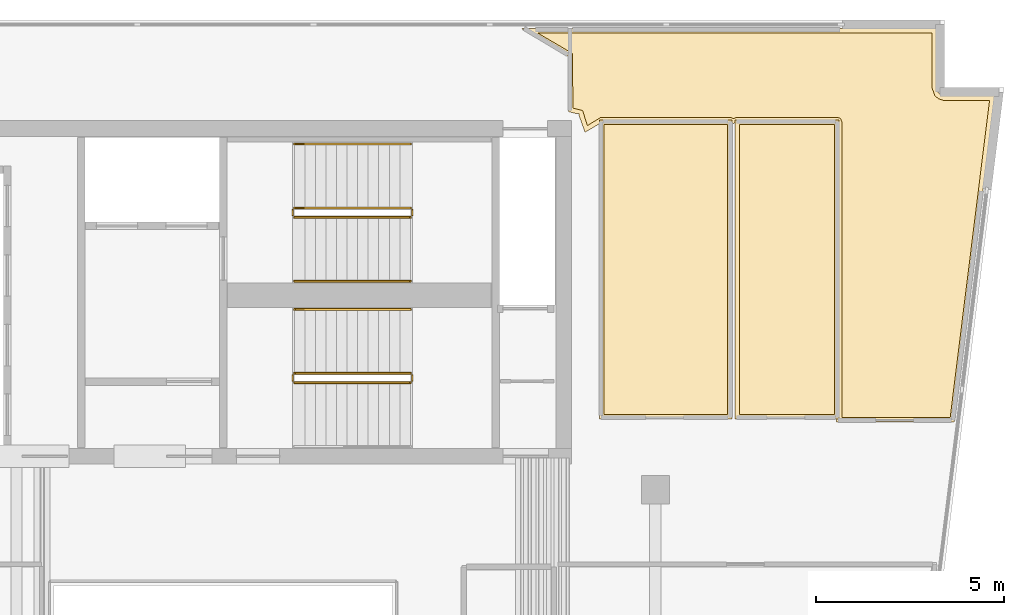
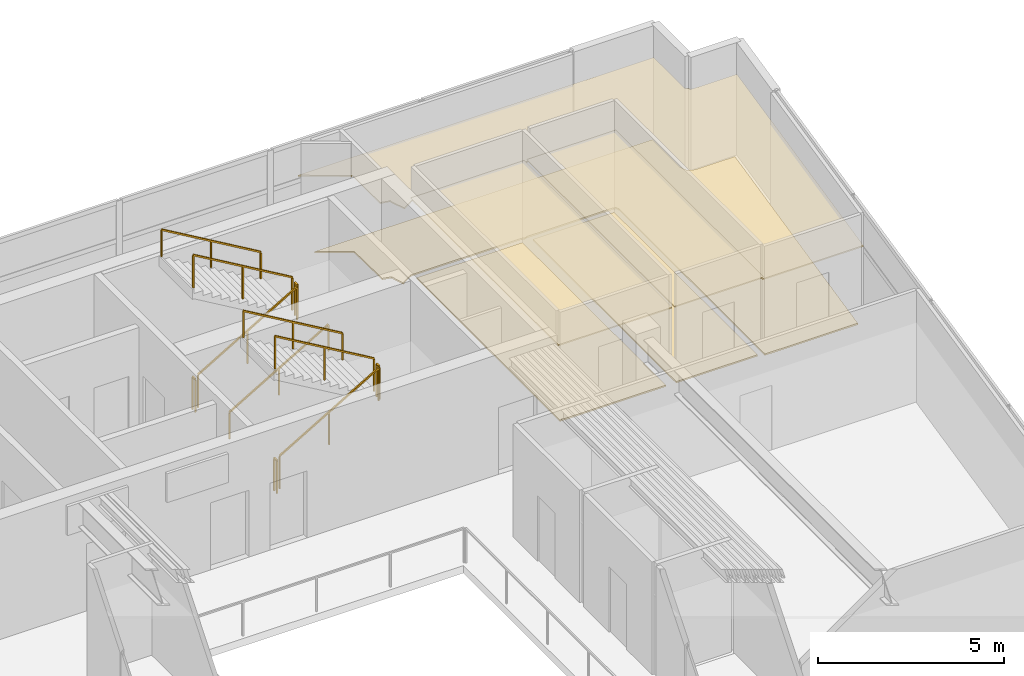
# One storey, part 8 of 8: 11 railings, 6 coverings.
"""IFC4 building model written with IfcOpenShell, lengths in metres."""

from ifc_helpers import new_model, si_unit, direction, frame, origin, origin_2d, place, context, subcontext, project, spatial, polyline, rectangle, outline, extrude, material, layer, layer_set, type_object, element, save


model = new_model("IFC4")

# Units and contexts
model_context = context("Model", 3, precision=1e-05, world=origin(), true_north=direction((0.0, 1.0)))
body_context = subcontext(model_context, "Body", "Model", "MODEL_VIEW")
ifc_project = project(units=[si_unit("LENGTHUNIT", "METRE"), si_unit("AREAUNIT", "SQUARE_METRE"), si_unit("VOLUMEUNIT", "CUBIC_METRE"), si_unit("PLANEANGLEUNIT", "RADIAN"), si_unit("MASSUNIT", "GRAM", prefix="KILO")], contexts=[model_context])

# Site, building, storey
site_placement = place(None, origin())
site = spatial("IfcSite", under=ifc_project, at=site_placement, CompositionType="ELEMENT")
building_placement = place(site_placement, origin())
building = spatial("IfcBuilding", under=site, at=building_placement, Name="Caeloran Harvest Quay", CompositionType="ELEMENT")
storey_placement = place(building_placement, frame((0.0, 0.0, 260.64990234375)))
storey = spatial("IfcBuildingStorey", under=building, at=storey_placement, Name="L62", CompositionType="ELEMENT", Elevation=260.64990234375)

# Coverings
ifc_material_1 = material(Name="Perforated Mineral-Fibre Acoustic Ceiling Tile", Category="ceiling")
ifc_layer_1 = layer(ifc_material_1, 0.0400390625, Name="Perforated Mineral-Fibre Acoustic Ceiling Tile")
ifc_layer_set_1 = layer_set([ifc_layer_1], Name="Perforated Mineral-Fibre Acoustic Ceiling Tile")
covering_type_1 = type_object("IfcCoveringType", Name="COV-CEILING-ACOUSTIC", PredefinedType="CEILING", material=ifc_layer_set_1)
covering_1_placement = place(storey_placement, frame((0.0, 0.0, 2.60009765625)))
element("IfcCovering", 1, at=covering_1_placement, inside=storey, type_object=covering_type_1, Name="L62 Bioinformatics Briefing Lounge Acoustic Ceiling", PredefinedType="CEILING", context=body_context, shape_type="SweptSolid", body=[
    extrude(outline(polyline([(27.5400390625, 40.840087890625), (27.5400390625, 32.8798828125), (24.010009765625, 32.8798828125), (24.010009765625, 40.840087890625), (27.5400390625, 40.840087890625)])), origin(), (0.0, 0.0, 1.0), 0.0400390625),
])
covering_2_placement = place(storey_placement, frame((0.0, 0.0, 2.60009765625)))
element("IfcCovering", 2, at=covering_2_placement, inside=storey, type_object=covering_type_1, Name="L62 Seed Imaging Laboratory Acoustic Ceiling", PredefinedType="CEILING", context=body_context, shape_type="SweptSolid", body=[
    extrude(outline(polyline([(30.389892578125, 40.840087890625), (30.389892578125, 32.8798828125), (27.6201171875, 32.8798828125), (27.6201171875, 40.840087890625), (30.389892578125, 40.840087890625)])), origin(), (0.0, 0.0, 1.0), 0.0400390625),
])
covering_3_placement = place(storey_placement, frame((0.0, 0.0, 2.60009765625)))
element("IfcCovering", 3, at=covering_3_placement, inside=storey, type_object=covering_type_1, Name="Private Dining Kitchen Acoustic Ceiling", PredefinedType="CEILING", context=body_context, shape_type="SweptSolid", body=[
    extrude(outline(polyline([(23.18994140625, 42.5400390625), (23.158203125, 42.5400390625), (21.923583984375, 43.280029296875), (32.97998046875, 43.280029296875), (32.97998046875, 41.700927734375), (32.989501953125, 41.63623046875), (33.030029296875, 41.560546875), (33.09619140625, 41.506103515625), (33.178466796875, 41.481201171875), (34.527587890625, 41.47998046875), (33.451416015625, 32.81005859375), (30.320068359375, 32.81005859375), (30.320068359375, 32.919921875), (30.340087890625, 32.927001953125), (30.340087890625, 40.7900390625), (27.669677734375, 40.7900390625), (27.668701171875, 40.771240234375), (27.580078125, 40.7490234375), (27.494140625, 40.7705078125), (27.4912109375, 40.7900390625), (24.06005859375, 40.7900390625), (24.06005859375, 40.77099609375), (23.62939453125, 40.512939453125), (23.469970703125, 40.958740234375), (23.469970703125, 41.010009765625), (23.396240234375, 41.010009765625), (23.18994140625, 41.061767578125), (23.18994140625, 42.5400390625)])), origin(), (0.0, 0.0, 1.0), 0.0400390625),
])
ifc_material_2 = material(Name="Calcium-Sulphate Raised Access Floor and Terrazzo Finish", Category="flooring")
ifc_layer_2 = layer(ifc_material_2, 0.050048828125, Name="Calcium-Sulphate Raised Access Floor and Terrazzo Finish")
ifc_layer_set_2 = layer_set([ifc_layer_2], Name="Calcium-Sulphate Raised Access Floor and Terrazzo Finish")
covering_type_2 = type_object("IfcCoveringType", Name="COV-FLOOR-RAISED", PredefinedType="FLOORING", material=ifc_layer_set_2)
covering_4_placement = place(storey_placement, origin())
element("IfcCovering", 4, at=covering_4_placement, inside=storey, type_object=covering_type_2, Name="L62 Bioinformatics Briefing Lounge Raised Finish Flooring", PredefinedType="FLOORING", context=body_context, shape_type="SweptSolid", body=[
    extrude(outline(polyline([(27.419921875, 40.719970703125), (27.419921875, 33.0), (24.1298828125, 33.0), (24.1298828125, 40.719970703125), (27.419921875, 40.719970703125)])), origin(), (0.0, 0.0, 1.0), 0.050048828125),
])
covering_5_placement = place(storey_placement, origin())
element("IfcCovering", 5, at=covering_5_placement, inside=storey, type_object=covering_type_2, Name="L62 Seed Imaging Laboratory Raised Finish Flooring", PredefinedType="FLOORING", context=body_context, shape_type="SweptSolid", body=[
    extrude(outline(polyline([(30.27001953125, 40.719970703125), (30.27001953125, 33.0), (27.739990234375, 33.0), (27.739990234375, 40.719970703125), (30.27001953125, 40.719970703125)])), origin(), (0.0, 0.0, 1.0), 0.050048828125),
])
covering_6_placement = place(storey_placement, origin())
element("IfcCovering", 6, at=covering_6_placement, inside=storey, type_object=covering_type_2, Name="Private Dining Kitchen Raised Finish Flooring", PredefinedType="FLOORING", context=body_context, shape_type="SweptSolid", body=[
    extrude(outline(polyline([(24.050048828125, 40.909912109375), (23.693115234375, 40.691162109375), (23.5625, 41.0927734375), (23.31005859375, 41.1552734375), (23.289306640625, 42.6142578125), (22.357421875, 43.159912109375), (32.860107421875, 43.159912109375), (32.860107421875, 41.696044921875), (32.939697265625, 41.481201171875), (33.043212890625, 41.3984375), (33.170654296875, 41.361328125), (34.391845703125, 41.360107421875), (33.34521484375, 32.929931640625), (30.4599609375, 32.929931640625), (30.4599609375, 40.800048828125), (30.4228515625, 40.882568359375), (30.35009765625, 40.909912109375), (27.659912109375, 40.909912109375), (27.580078125, 40.87548828125), (27.5, 40.909912109375), (24.050048828125, 40.909912109375)])), origin(), (0.0, 0.0, 1.0), 0.050048828125),
])

# Railings
ifc_material_3 = material(Name="Painted Steel Baluster and Top-Rail Stair Guard", Category="steel")
ifc_layer_3 = layer(ifc_material_3, 0.050048828125, Name="Painted Steel Baluster and Top-Rail Stair Guard")
ifc_layer_set_3 = layer_set([ifc_layer_3], Name="Painted Steel Baluster and Top-Rail Stair Guard")
railing_type_1 = type_object("IfcRailingType", Name="STAIR-GUARD-1100", PredefinedType="GUARDRAIL", material=ifc_layer_set_3)
railing_1_placement = place(storey_placement, frame((15.89990234375, 38.25, 0.164794921875)))
element("IfcRailing", 7, at=railing_1_placement, inside=storey, type_object=railing_type_1, Name="L62 ST-C1 stair guard 1", PredefinedType="GUARDRAIL", context=body_context, shape_type="SweptSolid", body=[
    extrude(rectangle(XDim=0.048095703125, YDim=0.048095703125, at=origin_2d()), frame((0.0, 0.0, 1.076171875), z_axis=(0.862118610829, 0.0, 0.506706523406), x_axis=(0.0, 1.0, 0.0)), (0.0, 0.0, 1.0), 3.57275390625),
    extrude(rectangle(XDim=0.0419921875, YDim=0.0419921875, at=origin_2d()), origin(), (0.0, 0.0, 1.0), 1.052001953125),
    extrude(rectangle(XDim=0.0419921875, YDim=0.0419921875, at=origin_2d()), frame((1.5400390625, 0.0, 0.9052734375)), (0.0, 0.0, 1.0), 1.052001953125),
    extrude(rectangle(XDim=0.0419921875, YDim=0.0419921875, at=origin_2d()), frame((3.080078125, 0.0, 1.810302734375)), (0.0, 0.0, 1.0), 1.052001953125),
])
railing_2_placement = place(storey_placement, frame((19.030029296875, 38.300048828125, 1.97509765625)))
element("IfcRailing", 8, at=railing_2_placement, inside=storey, type_object=railing_type_1, Name="L62 ST-C1 stair guard 2", PredefinedType="GUARDRAIL", context=body_context, shape_type="SweptSolid", body=[
    extrude(rectangle(XDim=0.048095703125, YDim=0.048095703125, at=origin_2d()), frame((0.0, 0.0, 1.076171875), z_axis=(0.0, 1.0, 0.0), x_axis=(-1.0, 0.0, 0.0)), (0.0, 0.0, 1.0), 0.14990234375),
    extrude(rectangle(XDim=0.0419921875, YDim=0.0419921875, at=origin_2d()), origin(), (0.0, 0.0, 1.0), 1.052001953125),
    extrude(rectangle(XDim=0.0419921875, YDim=0.0419921875, at=origin_2d()), frame((0.0, 0.14990234375, 0.0)), (0.0, 0.0, 1.0), 1.052001953125),
])
railing_3_placement = place(storey_placement, frame((18.97998046875, 38.5, 2.1396484375)))
element("IfcRailing", 9, at=railing_3_placement, inside=storey, type_object=railing_type_1, Name="L62 ST-C1 stair guard 3", PredefinedType="GUARDRAIL", context=body_context, shape_type="SweptSolid", body=[
    extrude(rectangle(XDim=0.048095703125, YDim=0.048095703125, at=origin_2d()), frame((0.0, 0.0, 1.076171875), z_axis=(-0.862088758681, 0.0, 0.506757310905), x_axis=(0.0, -1.0, 0.0)), (0.0, 0.0, 1.0), 3.57275390625),
    extrude(rectangle(XDim=0.0419921875, YDim=0.0419921875, at=origin_2d()), origin(), (0.0, 0.0, 1.0), 1.052001953125),
    extrude(rectangle(XDim=0.0419921875, YDim=0.0419921875, at=origin_2d()), frame((-1.5400390625, 0.0, 0.9052734375)), (0.0, 0.0, 1.0), 1.052001953125),
    extrude(rectangle(XDim=0.0419921875, YDim=0.0419921875, at=origin_2d()), frame((-3.080078125, 0.0, 1.810546875)), (0.0, 0.0, 1.0), 1.052001953125),
])
railing_4_placement = place(storey_placement, frame((15.85009765625, 38.300048828125, 0.0)))
element("IfcRailing", 10, at=railing_4_placement, inside=storey, type_object=railing_type_1, Name="L62 ST-C1 stair guard 4", PredefinedType="GUARDRAIL", context=body_context, shape_type="SweptSolid", body=[
    extrude(rectangle(XDim=0.048095703125, YDim=0.048095703125, at=origin_2d()), frame((0.0, 0.0, 1.076171875), z_axis=(0.0, 1.0, 0.0), x_axis=(-1.0, 0.0, 0.0)), (0.0, 0.0, 1.0), 0.14990234375),
    extrude(rectangle(XDim=0.0419921875, YDim=0.0419921875, at=origin_2d()), origin(), (0.0, 0.0, 1.0), 1.052001953125),
    extrude(rectangle(XDim=0.0419921875, YDim=0.0419921875, at=origin_2d()), frame((0.0, 0.14990234375, 0.0)), (0.0, 0.0, 1.0), 1.052001953125),
])
railing_5_placement = place(storey_placement, frame((15.89990234375, 33.85009765625, 0.164794921875)))
element("IfcRailing", 11, at=railing_5_placement, inside=storey, type_object=railing_type_1, Name="L62 ST-C2 stair guard 1", PredefinedType="GUARDRAIL", context=body_context, shape_type="SweptSolid", body=[
    extrude(rectangle(XDim=0.048095703125, YDim=0.048095703125, at=origin_2d()), frame((0.0, 0.0, 1.076171875), z_axis=(0.862118610829, 0.0, 0.506706523406), x_axis=(0.0, 1.0, 0.0)), (0.0, 0.0, 1.0), 3.57275390625),
    extrude(rectangle(XDim=0.0419921875, YDim=0.0419921875, at=origin_2d()), origin(), (0.0, 0.0, 1.0), 1.052001953125),
    extrude(rectangle(XDim=0.0419921875, YDim=0.0419921875, at=origin_2d()), frame((1.5400390625, 0.0, 0.9052734375)), (0.0, 0.0, 1.0), 1.052001953125),
    extrude(rectangle(XDim=0.0419921875, YDim=0.0419921875, at=origin_2d()), frame((3.080078125, 0.0, 1.810302734375)), (0.0, 0.0, 1.0), 1.052001953125),
])
railing_6_placement = place(storey_placement, frame((19.030029296875, 33.89990234375, 1.97509765625)))
element("IfcRailing", 12, at=railing_6_placement, inside=storey, type_object=railing_type_1, Name="L62 ST-C2 stair guard 2", PredefinedType="GUARDRAIL", context=body_context, shape_type="SweptSolid", body=[
    extrude(rectangle(XDim=0.048095703125, YDim=0.048095703125, at=origin_2d()), frame((0.0, 0.0, 1.076171875), z_axis=(0.0, 1.0, 0.0), x_axis=(-1.0, 0.0, 0.0)), (0.0, 0.0, 1.0), 0.150146484375),
    extrude(rectangle(XDim=0.0419921875, YDim=0.0419921875, at=origin_2d()), origin(), (0.0, 0.0, 1.0), 1.052001953125),
    extrude(rectangle(XDim=0.0419921875, YDim=0.0419921875, at=origin_2d()), frame((0.0, 0.150146484375, 0.0)), (0.0, 0.0, 1.0), 1.052001953125),
])
railing_7_placement = place(storey_placement, frame((18.97998046875, 34.10009765625, 2.1396484375)))
element("IfcRailing", 13, at=railing_7_placement, inside=storey, type_object=railing_type_1, Name="L62 ST-C2 stair guard 3", PredefinedType="GUARDRAIL", context=body_context, shape_type="SweptSolid", body=[
    extrude(rectangle(XDim=0.048095703125, YDim=0.048095703125, at=origin_2d()), frame((0.0, 0.0, 1.076171875), z_axis=(-0.862088758681, 0.0, 0.506757310905), x_axis=(0.0, -1.0, 0.0)), (0.0, 0.0, 1.0), 3.57275390625),
    extrude(rectangle(XDim=0.0419921875, YDim=0.0419921875, at=origin_2d()), origin(), (0.0, 0.0, 1.0), 1.052001953125),
    extrude(rectangle(XDim=0.0419921875, YDim=0.0419921875, at=origin_2d()), frame((-1.5400390625, 0.0, 0.9052734375)), (0.0, 0.0, 1.0), 1.052001953125),
    extrude(rectangle(XDim=0.0419921875, YDim=0.0419921875, at=origin_2d()), frame((-3.080078125, 0.0, 1.810546875)), (0.0, 0.0, 1.0), 1.052001953125),
])
railing_8_placement = place(storey_placement, frame((15.85009765625, 33.89990234375, 0.0)))
element("IfcRailing", 14, at=railing_8_placement, inside=storey, type_object=railing_type_1, Name="L62 ST-C2 stair guard 4", PredefinedType="GUARDRAIL", context=body_context, shape_type="SweptSolid", body=[
    extrude(rectangle(XDim=0.048095703125, YDim=0.048095703125, at=origin_2d()), frame((0.0, 0.0, 1.076171875), z_axis=(0.0, 1.0, 0.0), x_axis=(-1.0, 0.0, 0.0)), (0.0, 0.0, 1.0), 0.150146484375),
    extrude(rectangle(XDim=0.0419921875, YDim=0.0419921875, at=origin_2d()), origin(), (0.0, 0.0, 1.0), 1.052001953125),
    extrude(rectangle(XDim=0.0419921875, YDim=0.0419921875, at=origin_2d()), frame((0.0, 0.150146484375, 0.0)), (0.0, 0.0, 1.0), 1.052001953125),
])
ifc_material_4 = material(Name="Brushed Stainless Steel Grade 304", Category="steel")
ifc_layer_4 = layer(ifc_material_4, 0.050048828125, Name="Brushed Stainless Steel Grade 304")
ifc_layer_set_4 = layer_set([ifc_layer_4], Name="Brushed Stainless Steel Grade 304")
railing_type_2 = type_object("IfcRailingType", Name="STAIR-HANDRAIL-900", PredefinedType="HANDRAIL", material=ifc_layer_set_4)
railing_9_placement = place(storey_placement, frame((15.89990234375, 36.550048828125, 0.164794921875)))
element("IfcRailing", 15, at=railing_9_placement, inside=storey, type_object=railing_type_2, Name="L62 ST-C1 stair handrail 1", PredefinedType="HANDRAIL", context=body_context, shape_type="SweptSolid", body=[
    extrude(rectangle(XDim=0.048095703125, YDim=0.048095703125, at=origin_2d()), frame((0.0, 0.0, 0.8759765625), z_axis=(0.862118610829, 0.0, 0.506706523406), x_axis=(0.0, 1.0, 0.0)), (0.0, 0.0, 1.0), 3.57275390625),
    extrude(rectangle(XDim=0.0419921875, YDim=0.0419921875, at=origin_2d()), origin(), (0.0, 0.0, 1.0), 0.851806640625),
    extrude(rectangle(XDim=0.0419921875, YDim=0.0419921875, at=origin_2d()), frame((1.5400390625, 0.0, 0.9052734375)), (0.0, 0.0, 1.0), 0.851806640625),
    extrude(rectangle(XDim=0.0419921875, YDim=0.0419921875, at=origin_2d()), frame((3.080078125, 0.0, 1.810302734375)), (0.0, 0.0, 1.0), 0.851806640625),
])
for number, where, name in (
    (16, (18.97998046875, 40.199951171875, 2.1396484375), "L62 ST-C1 stair handrail 2"),
    (17, (18.97998046875, 35.800048828125, 2.1396484375), "L62 ST-C2 stair handrail 2"),
):
    element("IfcRailing", number, at=place(storey_placement, frame(where)), inside=storey, type_object=railing_type_2, Name=name, PredefinedType="HANDRAIL", context=body_context, shape_type="SweptSolid", body=[
        extrude(rectangle(XDim=0.048095703125, YDim=0.048095703125, at=origin_2d()), frame((0.0, 0.0, 0.8759765625), z_axis=(-0.862088758681, 0.0, 0.506757310905), x_axis=(0.0, -1.0, 0.0)), (0.0, 0.0, 1.0), 3.57275390625),
        extrude(rectangle(XDim=0.0419921875, YDim=0.0419921875, at=origin_2d()), origin(), (0.0, 0.0, 1.0), 0.851806640625),
        extrude(rectangle(XDim=0.0419921875, YDim=0.0419921875, at=origin_2d()), frame((-1.5400390625, 0.0, 0.9052734375)), (0.0, 0.0, 1.0), 0.851806640625),
        extrude(rectangle(XDim=0.0419921875, YDim=0.0419921875, at=origin_2d()), frame((-3.080078125, 0.0, 1.810546875)), (0.0, 0.0, 1.0), 0.851806640625),
    ])

save(model, "model.ifc")
